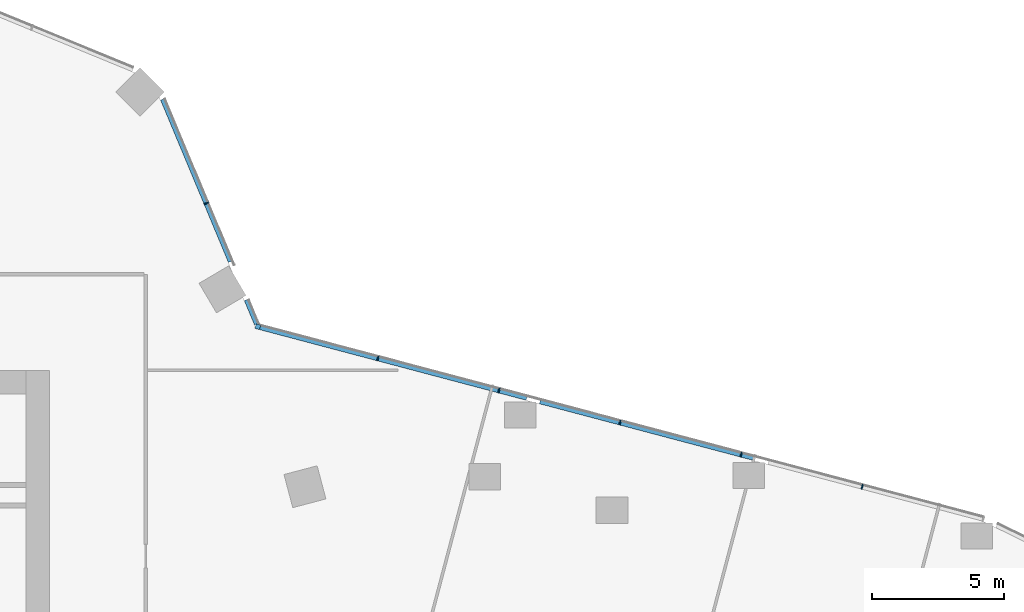
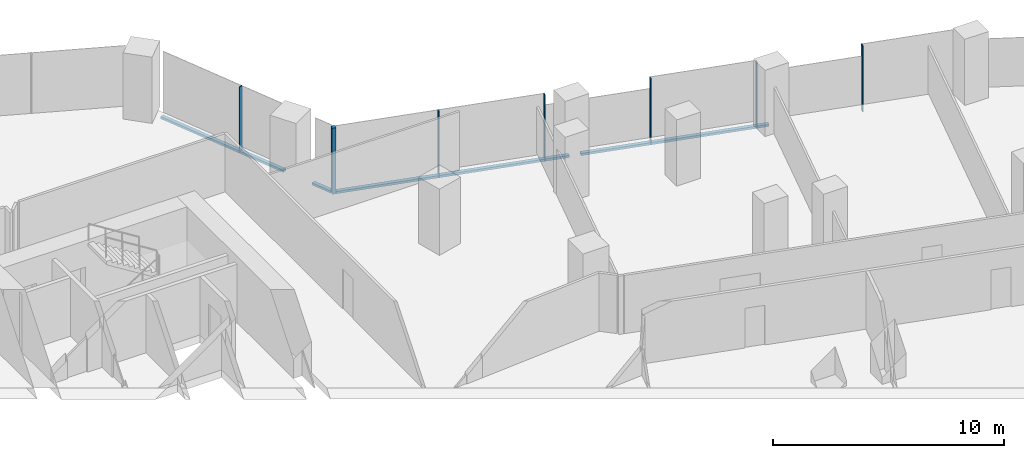
# One storey, part 14 of 35: 11 members, 2 elements without a shape of their own.
"""IFC4 building model written with IfcOpenShell, lengths in metres."""

from ifc_helpers import new_model, si_unit, direction, frame, origin, origin_2d, place, context, subcontext, project, spatial, rectangle, extrude, material, material_profile, profile_set, type_object, element, aggregate, save


model = new_model("IFC4")

# Units and contexts
model_context = context("Model", 3, precision=1e-05, world=origin(), true_north=direction((0.0, 1.0)))
body_context = subcontext(model_context, "Body", "Model", "MODEL_VIEW")
ifc_project = project(units=[si_unit("LENGTHUNIT", "METRE"), si_unit("AREAUNIT", "SQUARE_METRE"), si_unit("VOLUMEUNIT", "CUBIC_METRE"), si_unit("PLANEANGLEUNIT", "RADIAN"), si_unit("MASSUNIT", "GRAM", prefix="KILO")], contexts=[model_context])

# Site, building, storey
site_placement = place(None, origin())
site = spatial("IfcSite", under=ifc_project, at=site_placement, CompositionType="ELEMENT")
building_placement = place(site_placement, origin())
building = spatial("IfcBuilding", under=site, at=building_placement, Name="Orlundy Tower", CompositionType="ELEMENT")
storey_placement = place(building_placement, frame((0.0, 0.0, 116.199951171875)))
storey = spatial("IfcBuildingStorey", under=building, at=storey_placement, Name="L29", CompositionType="ELEMENT", Elevation=116.199951171875)

# Curtain wall, member
ifc_material_1 = material(Name="Aluminium bronze anodised", Category="aluminium")
curtain_wall_type = type_object("IfcCurtainWallType", Name="CW1 wall", PredefinedType="NOTDEFINED", material=ifc_material_1)
curtain_wall_1_placement = place(storey_placement, origin())
curtain_wall_1 = element("IfcCurtainWall", 1, at=curtain_wall_1_placement, inside=storey, type_object=curtain_wall_type, Name="CW1 run 018", PredefinedType="NOTDEFINED")
ifc_material_2 = material(Name="Aluminium bronze anodised", Category="aluminium")
ifc_material_profile_1 = material_profile(ifc_material_2, rectangle(XDim=0.179931640625, YDim=0.179931640625, at=origin_2d()), Name="CW1 corner post 180x180")
ifc_profile_set_1 = profile_set([ifc_material_profile_1], Name="Aluminium bronze anodised")
member_type_1 = type_object("IfcMemberType", Name="CW1 corner post 180x180", PredefinedType="MULLION", material=ifc_profile_set_1)
member_1_placement = place(storey_placement, frame((26.905029296875, 13.65771484375, -0.39990234375), z_axis=(0.0, 0.0, 1.0), x_axis=(0.256019713949, 0.966671560598, 0.0)))
member_1 = element("IfcMember", 2, at=member_1_placement, type_object=member_type_1, Name="CW1 mullion 51", PredefinedType="MULLION", context=body_context, shape_type="SweptSolid", body=[
    extrude(rectangle(XDim=0.179931640625, YDim=0.179931640625, at=origin_2d()), origin(), (0.0, 0.0, 1.0), 3.5),
])

curtain_wall_2_placement = place(storey_placement, origin())
curtain_wall_2 = element("IfcCurtainWall", 3, at=curtain_wall_2_placement, inside=storey, type_object=curtain_wall_type, Name="CW1 run 017", PredefinedType="NOTDEFINED")
ifc_material_3 = material(Name="Aluminium bronze anodised", Category="aluminium")
ifc_material_profile_2 = material_profile(ifc_material_3, rectangle(XDim=0.179931640625, YDim=0.050048828125, at=origin_2d()), Name="CW1 mullion 50x180")
ifc_profile_set_2 = profile_set([ifc_material_profile_2], Name="Aluminium bronze anodised")
member_type_2 = type_object("IfcMemberType", Name="CW1 mullion 50x180", PredefinedType="MULLION", material=ifc_profile_set_2)
member_2_placement = place(storey_placement, frame((24.949462890625, 18.339599609375, -0.39990234375), z_axis=(0.0, 0.0, 1.0), x_axis=(0.922758688949, 0.385378258299, 0.0)))
member_2 = element("IfcMember", 4, at=member_2_placement, type_object=member_type_2, Name="CW1 mullion 50", PredefinedType="MULLION", context=body_context, shape_type="SweptSolid", body=[
    extrude(rectangle(XDim=0.179931640625, YDim=0.050048828125, at=origin_2d()), origin(), (0.0, 0.0, 1.0), 3.5),
])

# Member
member_3_placement = place(storey_placement, frame((31.458984375, 12.451416015625, -0.39990234375), z_axis=(0.0, 0.0, 1.0), x_axis=(0.256019713949, 0.966671560598, 0.0)))
member_3 = element("IfcMember", 5, at=member_3_placement, type_object=member_type_2, Name="CW1 mullion 52", PredefinedType="MULLION", context=body_context, shape_type="SweptSolid", body=[
    extrude(rectangle(XDim=0.179931640625, YDim=0.050048828125, at=origin_2d()), origin(), (0.0, 0.0, 1.0), 3.5),
])

member_4_placement = place(storey_placement, frame((36.05615234375, 11.23388671875, -0.39990234375), z_axis=(0.0, 0.0, 1.0), x_axis=(0.256019713949, 0.966671560598, 0.0)))
member_4 = element("IfcMember", 6, at=member_4_placement, type_object=member_type_2, Name="CW1 mullion 53", PredefinedType="MULLION", context=body_context, shape_type="SweptSolid", body=[
    extrude(rectangle(XDim=0.179931640625, YDim=0.050048828125, at=origin_2d()), origin(), (0.0, 0.0, 1.0), 3.5),
])

member_5_placement = place(storey_placement, frame((40.653076171875, 10.0166015625, -0.39990234375), z_axis=(0.0, 0.0, 1.0), x_axis=(0.256019713949, 0.966671560598, 0.0)))
member_5 = element("IfcMember", 7, at=member_5_placement, type_object=member_type_2, Name="CW1 mullion 54", PredefinedType="MULLION", context=body_context, shape_type="SweptSolid", body=[
    extrude(rectangle(XDim=0.179931640625, YDim=0.050048828125, at=origin_2d()), origin(), (0.0, 0.0, 1.0), 3.5),
])

member_6_placement = place(storey_placement, frame((45.25, 8.799072265625, -0.39990234375), z_axis=(0.0, 0.0, 1.0), x_axis=(0.256019713949, 0.966671560598, 0.0)))
member_6 = element("IfcMember", 8, at=member_6_placement, type_object=member_type_2, Name="CW1 mullion 55", PredefinedType="MULLION", context=body_context, shape_type="SweptSolid", body=[
    extrude(rectangle(XDim=0.179931640625, YDim=0.050048828125, at=origin_2d()), origin(), (0.0, 0.0, 1.0), 3.5),
])

member_7_placement = place(storey_placement, frame((49.846923828125, 7.58154296875, -0.39990234375), z_axis=(0.0, 0.0, 1.0), x_axis=(0.256019713949, 0.966671560598, 0.0)))
member_7 = element("IfcMember", 9, at=member_7_placement, type_object=member_type_2, Name="CW1 mullion 56", PredefinedType="MULLION", context=body_context, shape_type="SweptSolid", body=[
    extrude(rectangle(XDim=0.179931640625, YDim=0.050048828125, at=origin_2d()), origin(), (0.0, 0.0, 1.0), 3.5),
])

ifc_material_4 = material(Name="Aluminium bronze anodised", Category="aluminium")
ifc_material_profile_3 = material_profile(ifc_material_4, rectangle(XDim=0.179931640625, YDim=0.1201171875, at=origin_2d()), Name="CW1 transom 180x120")
ifc_profile_set_3 = profile_set([ifc_material_profile_3], Name="Aluminium bronze anodised")
member_type_3 = type_object("IfcMemberType", Name="CW1 transom 180x120", PredefinedType="USERDEFINED", material=ifc_profile_set_3)
member_8_placement = place(storey_placement, frame((23.29638671875, 22.2978515625, -0.33984375), z_axis=(0.385382794514, -0.922756794444, 0.0), x_axis=(0.922756794444, 0.385382794514, 0.0)))
member_8 = element("IfcMember", 10, at=member_8_placement, type_object=member_type_3, Name="CW1 transom", ObjectType="TRANSOM", PredefinedType="USERDEFINED", context=body_context, shape_type="SweptSolid", body=[
    extrude(rectangle(XDim=0.179931640625, YDim=0.1201171875, at=origin_2d()), origin(), (0.0, 0.0, 1.0), 6.685302734375),
])

member_9_placement = place(storey_placement, frame((26.47607421875, 14.6845703125, -0.33984375), z_axis=(0.385413000018, -0.92274417875, 0.0), x_axis=(0.92274417875, 0.385413000018, 0.0)))
member_9 = element("IfcMember", 11, at=member_9_placement, type_object=member_type_3, Name="CW1 transom", ObjectType="TRANSOM", PredefinedType="USERDEFINED", context=body_context, shape_type="SweptSolid", body=[
    extrude(rectangle(XDim=0.179931640625, YDim=0.1201171875, at=origin_2d()), origin(), (0.0, 0.0, 1.0), 0.99951171875),
])

aggregate(curtain_wall_2, [member_2, member_8, member_9])

member_10_placement = place(storey_placement, frame((26.991943359375, 13.634521484375, -0.33984375), z_axis=(0.966674502296, -0.256008606518, 0.0), x_axis=(0.256008606518, 0.966674502296, 0.0)))
member_10 = element("IfcMember", 12, at=member_10_placement, type_object=member_type_3, Name="CW1 transom", ObjectType="TRANSOM", PredefinedType="USERDEFINED", context=body_context, shape_type="SweptSolid", body=[
    extrude(rectangle(XDim=0.179931640625, YDim=0.1201171875, at=origin_2d()), origin(), (0.0, 0.0, 1.0), 10.46630859375),
])

member_11_placement = place(storey_placement, frame((37.616943359375, 10.820556640625, -0.33984375), z_axis=(0.966670489841, -0.256023756848, 0.0), x_axis=(0.256023756848, 0.966670489841, 0.0)))
member_11 = element("IfcMember", 13, at=member_11_placement, type_object=member_type_3, Name="CW1 transom", ObjectType="TRANSOM", PredefinedType="USERDEFINED", context=body_context, shape_type="SweptSolid", body=[
    extrude(rectangle(XDim=0.179931640625, YDim=0.1201171875, at=origin_2d()), origin(), (0.0, 0.0, 1.0), 8.439208984375),
])

aggregate(curtain_wall_1, [member_1, member_3, member_4, member_5, member_6, member_7, member_10, member_11])

save(model, "model.ifc")
